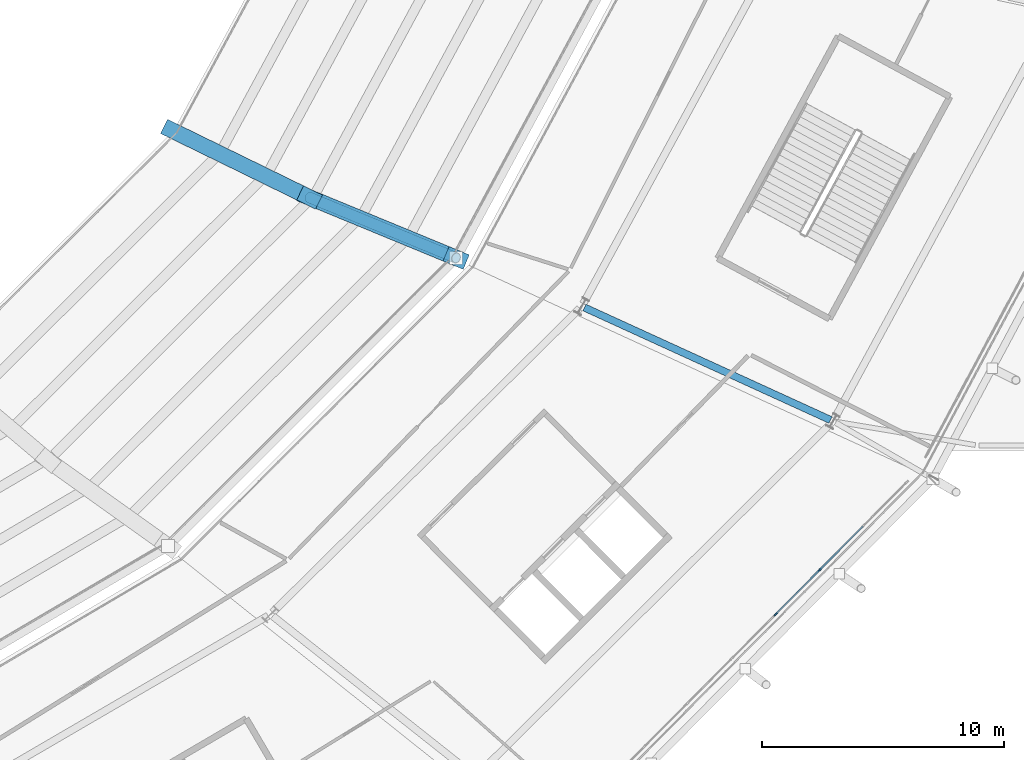
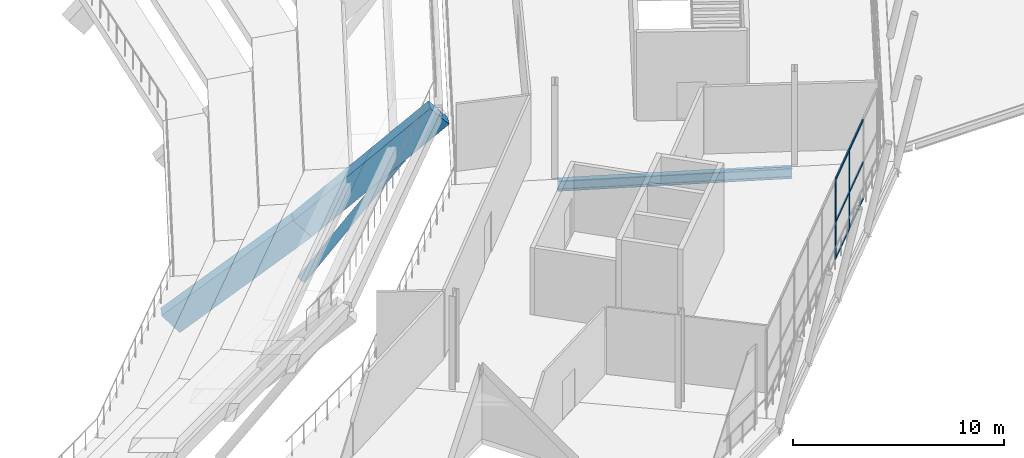
# One storey, part 40 of 126: 9 members, 3 beams, 1 element without a shape of its own.
"""IFC4 building model written with IfcOpenShell, lengths in metres."""

from ifc_helpers import new_model, si_unit, direction, frame, origin, origin_2d, place, context, subcontext, project, spatial, rectangle, hollow_circle, i_section, extrude, material, material_profile, profile_set, type_object, element, aggregate, save


model = new_model("IFC4")

# Units and contexts
model_context = context("Model", 3, precision=1e-05, world=origin(), true_north=direction((0.0, 1.0)))
body_context = subcontext(model_context, "Body", "Model", "MODEL_VIEW")
ifc_project = project(units=[si_unit("LENGTHUNIT", "METRE"), si_unit("AREAUNIT", "SQUARE_METRE"), si_unit("VOLUMEUNIT", "CUBIC_METRE"), si_unit("PLANEANGLEUNIT", "RADIAN"), si_unit("MASSUNIT", "GRAM", prefix="KILO")], contexts=[model_context])

# Site, building, storey
site_placement = place(None, origin())
site = spatial("IfcSite", under=ifc_project, at=site_placement, CompositionType="ELEMENT")
building_placement = place(site_placement, origin())
building = spatial("IfcBuilding", under=site, at=building_placement, Name="Zlatoyarsky Gate Stadium", CompositionType="ELEMENT")
storey_placement = place(building_placement, frame((0.0, 0.0, 20.800048828125)))
storey = spatial("IfcBuildingStorey", under=building, at=storey_placement, Name="L04", CompositionType="ELEMENT", Elevation=20.800048828125)

# Curtain wall, members
ifc_material_1 = material(Name="Thermally broken anodised aluminium curtain wall", Category="aluminium")
curtain_wall_type = type_object("IfcCurtainWallType", Name="UNITISED MEDIA RING GLAZING L04", PredefinedType="USERDEFINED", material=ifc_material_1)
curtain_wall_placement = place(storey_placement, origin())
curtain_wall = element("IfcCurtainWall", 1, at=curtain_wall_placement, inside=storey, type_object=curtain_wall_type, Name="Curtain wall CW-L04-21", ObjectType="UNITISED GLAZING", PredefinedType="USERDEFINED")
ifc_material_2 = material(Name="Anodised aluminium 6063-T6", Category="aluminium")
ifc_material_profile_1 = material_profile(ifc_material_2, rectangle(XDim=0.06494140625, YDim=0.159912109375, at=origin_2d()), Name="ALU 65X160")
ifc_profile_set_1 = profile_set([ifc_material_profile_1], Name="Anodised aluminium 6063-T6")
member_type_1 = type_object("IfcMemberType", Name="ALUMINIUM MULLION 65X160", PredefinedType="MULLION", material=ifc_profile_set_1)
member_1_placement = place(storey_placement, frame((189.16552734375, 36.51953125, 0.0), z_axis=(0.0, 0.0, 1.0), x_axis=(-0.709870536386, 0.704332181269, 0.0)))
member_1 = element("IfcMember", 2, at=member_1_placement, type_object=member_type_1, Name="CW-UG4 mullion 6", PredefinedType="MULLION", context=body_context, shape_type="SweptSolid", body=[
    extrude(rectangle(XDim=0.06494140625, YDim=0.159912109375, at=origin_2d()), origin(), (0.0, 0.0, 1.0), 4.619873046875),
])
member_2_placement = place(storey_placement, frame((190.979248046875, 38.34765625, 0.0), z_axis=(0.0, 0.0, 1.0), x_axis=(-0.709870536386, 0.704332181269, 0.0)))
member_2 = element("IfcMember", 3, at=member_2_placement, type_object=member_type_1, Name="CW-UG4 mullion 7", PredefinedType="MULLION", context=body_context, shape_type="SweptSolid", body=[
    extrude(rectangle(XDim=0.06494140625, YDim=0.159912109375, at=origin_2d()), origin(), (0.0, 0.0, 1.0), 4.619873046875),
])
ifc_material_profile_2 = material_profile(ifc_material_2, rectangle(XDim=0.06494140625, YDim=0.139892578125, at=origin_2d()), Name="ALU 65X140")
ifc_profile_set_2 = profile_set([ifc_material_profile_2], Name="Anodised aluminium 6063-T6")
member_type_2 = type_object("IfcMemberType", Name="ALUMINIUM TRANSOM 65X140", PredefinedType="USERDEFINED", material=ifc_profile_set_2)
member_3_placement = place(storey_placement, frame((189.188232421875, 36.542724609375, 0.032470703125), z_axis=(0.70437817459, 0.709824898945, 0.0), x_axis=(-0.709824898945, 0.70437817459, 0.0)))
member_3 = element("IfcMember", 4, at=member_3_placement, type_object=member_type_2, Name="CW-UG4 transom 6.1", ObjectType="TRANSOM", PredefinedType="USERDEFINED", context=body_context, shape_type="SweptSolid", body=[
    extrude(rectangle(XDim=0.06494140625, YDim=0.139892578125, at=origin_2d()), origin(), (0.0, 0.0, 1.0), 2.510009765625),
])
member_4_placement = place(storey_placement, frame((189.188232421875, 36.542724609375, 2.14990234375), z_axis=(0.70437817459, 0.709824898945, 0.0), x_axis=(-0.709824898945, 0.70437817459, 0.0)))
member_4 = element("IfcMember", 5, at=member_4_placement, type_object=member_type_2, Name="CW-UG4 transom 6.2", ObjectType="TRANSOM", PredefinedType="USERDEFINED", context=body_context, shape_type="SweptSolid", body=[
    extrude(rectangle(XDim=0.06494140625, YDim=0.139892578125, at=origin_2d()), origin(), (0.0, 0.0, 1.0), 2.510009765625),
])
member_5_placement = place(storey_placement, frame((189.188232421875, 36.542724609375, 4.58740234375), z_axis=(0.70437817459, 0.709824898945, 0.0), x_axis=(-0.709824898945, 0.70437817459, 0.0)))
member_5 = element("IfcMember", 6, at=member_5_placement, type_object=member_type_2, Name="CW-UG4 transom 6.3", ObjectType="TRANSOM", PredefinedType="USERDEFINED", context=body_context, shape_type="SweptSolid", body=[
    extrude(rectangle(XDim=0.06494140625, YDim=0.139892578125, at=origin_2d()), origin(), (0.0, 0.0, 1.0), 2.510009765625),
])
member_6_placement = place(storey_placement, frame((191.002197265625, 38.37060546875, 0.032470703125), z_axis=(0.70432954627, 0.709873150818, 0.0), x_axis=(-0.709873150818, 0.70432954627, 0.0)))
member_6 = element("IfcMember", 7, at=member_6_placement, type_object=member_type_2, Name="CW-UG4 transom 7.1", ObjectType="TRANSOM", PredefinedType="USERDEFINED", context=body_context, shape_type="SweptSolid", body=[
    extrude(rectangle(XDim=0.06494140625, YDim=0.139892578125, at=origin_2d()), origin(), (0.0, 0.0, 1.0), 2.51025390625),
])
member_7_placement = place(storey_placement, frame((191.002197265625, 38.37060546875, 2.14990234375), z_axis=(0.70432954627, 0.709873150818, 0.0), x_axis=(-0.709873150818, 0.70432954627, 0.0)))
member_7 = element("IfcMember", 8, at=member_7_placement, type_object=member_type_2, Name="CW-UG4 transom 7.2", ObjectType="TRANSOM", PredefinedType="USERDEFINED", context=body_context, shape_type="SweptSolid", body=[
    extrude(rectangle(XDim=0.06494140625, YDim=0.139892578125, at=origin_2d()), origin(), (0.0, 0.0, 1.0), 2.51025390625),
])
member_8_placement = place(storey_placement, frame((191.002197265625, 38.37060546875, 4.58740234375), z_axis=(0.70432954627, 0.709873150818, 0.0), x_axis=(-0.709873150818, 0.70432954627, 0.0)))
member_8 = element("IfcMember", 9, at=member_8_placement, type_object=member_type_2, Name="CW-UG4 transom 7.3", ObjectType="TRANSOM", PredefinedType="USERDEFINED", context=body_context, shape_type="SweptSolid", body=[
    extrude(rectangle(XDim=0.06494140625, YDim=0.139892578125, at=origin_2d()), origin(), (0.0, 0.0, 1.0), 2.51025390625),
])
aggregate(curtain_wall, [member_1, member_2, member_3, member_4, member_5, member_6, member_7, member_8])

# Beams
ifc_material_3 = material(Name="Precast concrete C40/50", Category="concrete")
ifc_material_profile_3 = material_profile(ifc_material_3, rectangle(XDim=0.64990234375, YDim=1.35009765625, at=origin_2d()), Name="PC RAKER 650X1350")
ifc_profile_set_3 = profile_set([ifc_material_profile_3], Name="Precast concrete C40/50")
beam_type_1 = type_object("IfcBeamType", Name="PRECAST UPPER BOWL RAKER 650X1350", PredefinedType="USERDEFINED", material=ifc_profile_set_3)
beam_1_placement = place(storey_placement, frame((164.260498046875, 56.5, -6.949951171875), z_axis=(0.689759179281, -0.336966968618, 0.640847514358), x_axis=(0.438948714008, 0.898512118154, 0.0)))
element("IfcBeam", 10, at=beam_1_placement, inside=storey, type_object=beam_type_1, Name="Upper bowl radial raker 22 inner", ObjectType="RAKER", PredefinedType="USERDEFINED", context=body_context, shape_type="SweptSolid", body=[
    extrude(rectangle(XDim=0.64990234375, YDim=1.35009765625, at=origin_2d()), origin(), (0.0, 0.0, 1.0), 8.1611328125),
])
beam_2_placement = place(storey_placement, frame((169.8896484375, 53.75, -1.719970703125), z_axis=(0.686732303107, -0.283199983239, 0.669474804128), x_axis=(0.381242231727, 0.92447518125, 0.0)))
element("IfcBeam", 11, at=beam_2_placement, inside=storey, type_object=beam_type_1, Name="Upper bowl radial raker 22 outer", ObjectType="RAKER", PredefinedType="USERDEFINED", context=body_context, shape_type="SweptSolid", body=[
    extrude(rectangle(XDim=0.64990234375, YDim=1.35009765625, at=origin_2d()), origin(), (0.0, 0.0, 1.0), 8.82763671875),
])

# Member
ifc_material_4 = material(Name="Steel S355", Category="steel")
ifc_material_profile_4 = material_profile(ifc_material_4, hollow_circle(Radius=0.228515625, WallThickness=0.02490234375, at=origin_2d()), Name="CHS 457X25")
ifc_profile_set_4 = profile_set([ifc_material_profile_4], Name="Steel S355")
member_type_3 = type_object("IfcMemberType", Name="STEEL BACKSPAN TIE STRUT CHS 457X25", PredefinedType="STRUT", material=ifc_profile_set_4)
member_9_placement = place(storey_placement, frame((169.8896484375, 53.75, -4.85009765625), z_axis=(0.542825884046, -0.223854740149, 0.809462238108), x_axis=(0.381242231727, 0.92447518125, 0.0)))
element("IfcMember", 12, at=member_9_placement, inside=storey, type_object=member_type_3, Name="Upper tier outer raker prop strut 22", PredefinedType="STRUT", context=body_context, shape_type="SweptSolid", body=[
    extrude(hollow_circle(Radius=0.228515625, WallThickness=0.02490234375, at=origin_2d()), origin(), (0.0, 0.0, 1.0), 11.16796875),
])

# Beam
ifc_material_profile_5 = material_profile(ifc_material_4, i_section(OverallWidth=0.300048828125, OverallDepth=0.60009765625, WebThickness=0.015380859375, FlangeThickness=0.030029296875, FilletRadius=0.027099609375, at=origin_2d()), Name="HEB 600")
ifc_profile_set_5 = profile_set([ifc_material_profile_5], Name="Steel S355")
beam_type_2 = type_object("IfcBeamType", Name="STEEL PRIMARY GIRDER HEB 600", PredefinedType="BEAM", material=ifc_profile_set_5)
beam_3_placement = place(storey_placement, frame((181.257080078125, 49.2001953125, -0.60009765625), z_axis=(0.909498994842, -0.415706120213, 0.0), x_axis=(0.415706120213, 0.909498994842, 0.0)))
element("IfcBeam", 13, at=beam_3_placement, inside=storey, type_object=beam_type_2, Name="Beam G-HEB600 BM-L04-RBC-22", PredefinedType="BEAM", context=body_context, shape_type="SweptSolid", body=[
    extrude(i_section(OverallWidth=0.300048828125, OverallDepth=0.60009765625, WebThickness=0.015380859375, FlangeThickness=0.030029296875, FilletRadius=0.027099609375, at=origin_2d()), origin(), (0.0, 0.0, 1.0), 11.186767578125),
])

save(model, "model.ifc")
